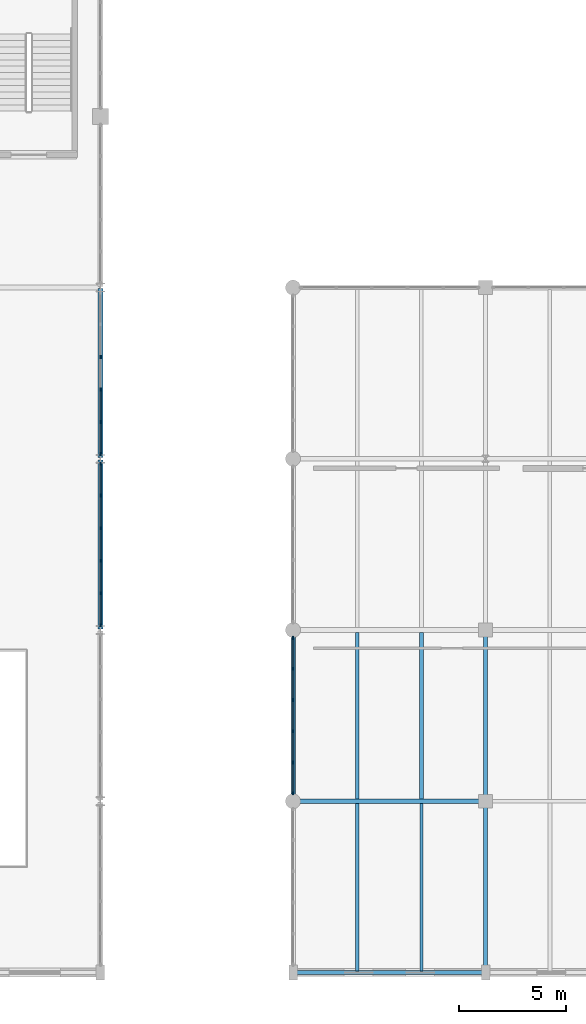
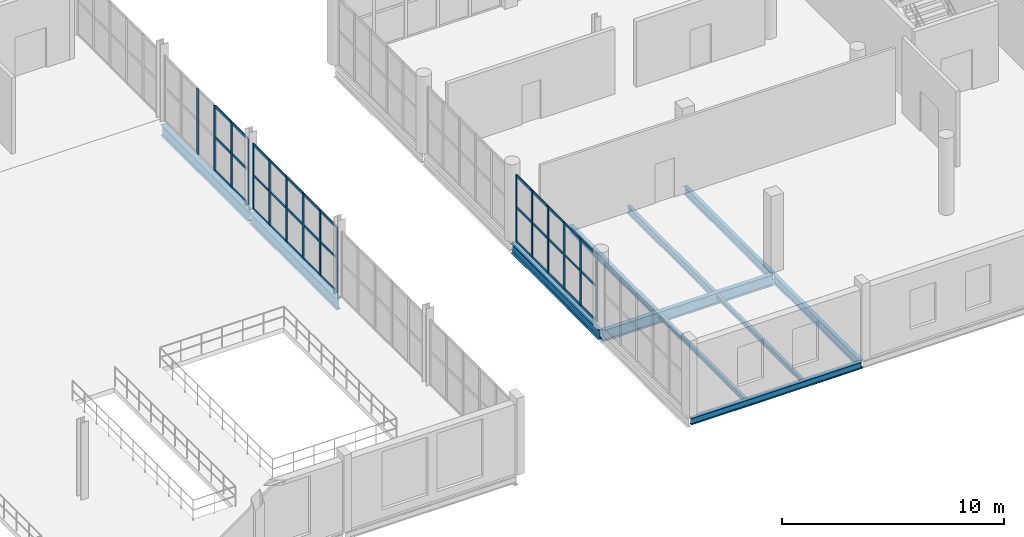
# One storey, part 29 of 85: 52 members, 11 beams, 3 elements without a shape of their own.
"""IFC4 building model written with IfcOpenShell, lengths in metres."""

from ifc_helpers import new_model, si_unit, direction, frame, origin, origin_2d, place, context, subcontext, project, spatial, rectangle, i_section, extrude, material, layer, layer_set, material_profile, profile_set, type_object, element, aggregate, save


model = new_model("IFC4")

# Units and contexts
model_context = context("Model", 3, precision=1e-05, world=origin(), true_north=direction((0.0, 1.0)))
body_context = subcontext(model_context, "Body", "Model", "MODEL_VIEW")
ifc_project = project(units=[si_unit("LENGTHUNIT", "METRE"), si_unit("AREAUNIT", "SQUARE_METRE"), si_unit("VOLUMEUNIT", "CUBIC_METRE"), si_unit("PLANEANGLEUNIT", "RADIAN"), si_unit("MASSUNIT", "GRAM", prefix="KILO")], contexts=[model_context])

# Site, building, storey
site_placement = place(None, origin())
site = spatial("IfcSite", under=ifc_project, at=site_placement, CompositionType="ELEMENT")
building_placement = place(site_placement, origin())
building = spatial("IfcBuilding", under=site, at=building_placement, Name="Marnock Terrace Opera House", CompositionType="ELEMENT")
storey_placement = place(building_placement, frame((0.0, 0.0, 10.199951171875)))
storey = spatial("IfcBuildingStorey", under=building, at=storey_placement, Name="L02", CompositionType="ELEMENT", Elevation=10.199951171875)

# Beams
ifc_material_1 = material(Name="Steel Grade 350 (AS/NZS 3679.1)", Category="steel")
ifc_material_profile_1 = material_profile(ifc_material_1, i_section(OverallWidth=0.18994140625, OverallDepth=0.45751953125, WebThickness=0.009033203125, FlangeThickness=0.014404296875, FilletRadius=0.011474609375, at=origin_2d()))
ifc_profile_set_1 = profile_set([ifc_material_profile_1], Name="Steel Grade 350 (AS/NZS 3679.1)")
beam_type_1 = type_object("IfcBeamType", Name="BM-GIRD-460B", PredefinedType="BEAM", material=ifc_profile_set_1)
for number, where, z_axis, x_axis, name in (
    (1, (127.0, 8.050048828125, -0.48876953125), (0.0, 1.0, 0.0), (-1.0, 0.0, 0.0), "L02 girder (X=127.0, 8.0..16.0)"),
    (2, (127.0, 16.050048828125, -0.48876953125), (0.0, 1.0, 0.0), (-1.0, 0.0, 0.0), "L02 girder (X=127.0, 16.0..24.0)"),
):
    element("IfcBeam", number, at=place(storey_placement, frame(where, z_axis=z_axis, x_axis=x_axis)), inside=storey, type_object=beam_type_1, Name=name, PredefinedType="BEAM", context=body_context, shape_type="SweptSolid", body=[
        extrude(i_section(OverallWidth=0.18994140625, OverallDepth=0.45751953125, WebThickness=0.009033203125, FlangeThickness=0.014404296875, FilletRadius=0.011474609375, at=origin_2d()), origin(), (0.0, 0.0, 1.0), 7.89990234375),
    ])
ifc_material_profile_2 = material_profile(ifc_material_1, i_section(OverallWidth=0.208984375, OverallDepth=0.528076171875, WebThickness=0.009521484375, FlangeThickness=0.01318359375, FilletRadius=0.013916015625, at=origin_2d()))
ifc_profile_set_2 = profile_set([ifc_material_profile_2], Name="Steel Grade 350 (AS/NZS 3679.1)")
beam_type_2 = type_object("IfcBeamType", Name="BM-GIRD-530B", PredefinedType="BEAM", material=ifc_profile_set_2)
beam_1_placement = place(storey_placement, frame((118.0, 16.050048828125, -0.52392578125), z_axis=(0.0, 1.0, 0.0), x_axis=(-1.0, 0.0, 0.0)))
element("IfcBeam", 3, at=beam_1_placement, inside=storey, type_object=beam_type_2, Name="L02 girder (X=118.0, 16.0..24.0)", PredefinedType="BEAM", context=body_context, shape_type="SweptSolid", body=[
    extrude(i_section(OverallWidth=0.208984375, OverallDepth=0.528076171875, WebThickness=0.009521484375, FlangeThickness=0.01318359375, FilletRadius=0.013916015625, at=origin_2d()), origin(), (0.0, 0.0, 1.0), 7.89990234375),
])
ifc_material_profile_3 = material_profile(ifc_material_1, i_section(OverallWidth=0.22900390625, OverallDepth=0.611572265625, WebThickness=0.011962890625, FlangeThickness=0.01953125, FilletRadius=0.013916015625, at=origin_2d()))
ifc_profile_set_3 = profile_set([ifc_material_profile_3], Name="Steel Grade 350 (AS/NZS 3679.1)")
beam_type_3 = type_object("IfcBeamType", Name="BM-GIRD-610A", PredefinedType="BEAM", material=ifc_profile_set_3)
beam_2_placement = place(storey_placement, frame((118.050048828125, 16.0, -0.565673828125), z_axis=(1.0, 0.0, 0.0), x_axis=(0.0, 1.0, 0.0)))
element("IfcBeam", 4, at=beam_2_placement, inside=storey, type_object=beam_type_3, Name="L02 girder (118.0..127.0, Y=16.0)", PredefinedType="BEAM", context=body_context, shape_type="SweptSolid", body=[
    extrude(i_section(OverallWidth=0.22900390625, OverallDepth=0.611572265625, WebThickness=0.011962890625, FlangeThickness=0.01953125, FilletRadius=0.013916015625, at=origin_2d()), origin(), (0.0, 0.0, 1.0), 8.89990234375),
])
ifc_material_profile_4 = material_profile(ifc_material_1, i_section(OverallWidth=0.22802734375, OverallDepth=0.60205078125, WebThickness=0.010498046875, FlangeThickness=0.014892578125, FilletRadius=0.013916015625, at=origin_2d()))
ifc_profile_set_4 = profile_set([ifc_material_profile_4], Name="Steel Grade 350 (AS/NZS 3679.1)")
beam_type_4 = type_object("IfcBeamType", Name="BM-GIRD-610C", PredefinedType="BEAM", material=ifc_profile_set_4)
for number, where, z_axis, x_axis, name in (
    (5, (109.0, 24.050048828125, -0.56103515625), (0.0, 1.0, 0.0), (-1.0, 0.0, 0.0), "L02 girder (X=109.0, 24.0..32.0)"),
    (6, (109.0, 32.050048828125, -0.56103515625), (0.0, 1.0, 0.0), (-1.0, 0.0, 0.0), "L02 girder (X=109.0, 32.0..40.0)"),
):
    element("IfcBeam", number, at=place(storey_placement, frame(where, z_axis=z_axis, x_axis=x_axis)), inside=storey, type_object=beam_type_4, Name=name, PredefinedType="BEAM", context=body_context, shape_type="SweptSolid", body=[
        extrude(i_section(OverallWidth=0.22802734375, OverallDepth=0.60205078125, WebThickness=0.010498046875, FlangeThickness=0.014892578125, FilletRadius=0.013916015625, at=origin_2d()), origin(), (0.0, 0.0, 1.0), 7.89990234375),
    ])
ifc_material_profile_5 = material_profile(ifc_material_1, i_section(OverallWidth=0.14599609375, OverallDepth=0.256103515625, WebThickness=0.00634765625, FlangeThickness=0.010986328125, FilletRadius=0.0087890625, at=origin_2d()))
ifc_profile_set_5 = profile_set([ifc_material_profile_5], Name="Steel Grade 350 (AS/NZS 3679.1)")
beam_type_5 = type_object("IfcBeamType", Name="BM-JOIST-250", PredefinedType="JOIST", material=ifc_profile_set_5)
for number, where, z_axis, x_axis, name in (
    (7, (121.0, 8.0810546875, -0.387939453125), (0.0, 1.0, 0.0), (-1.0, 0.0, 0.0), "L02 secondary joist 13.1.1"),
    (8, (124.0, 8.0810546875, -0.387939453125), (0.0, 1.0, 0.0), (-1.0, 0.0, 0.0), "L02 secondary joist 13.1.2"),
):
    element("IfcBeam", number, at=place(storey_placement, frame(where, z_axis=z_axis, x_axis=x_axis)), inside=storey, type_object=beam_type_5, Name=name, PredefinedType="JOIST", context=body_context, shape_type="SweptSolid", body=[
        extrude(i_section(OverallWidth=0.14599609375, OverallDepth=0.256103515625, WebThickness=0.00634765625, FlangeThickness=0.010986328125, FilletRadius=0.0087890625, at=origin_2d()), origin(), (0.0, 0.0, 1.0), 7.809326171875),
    ])
ifc_material_profile_6 = material_profile(ifc_material_1, i_section(OverallWidth=0.177978515625, OverallDepth=0.406494140625, WebThickness=0.0078125, FlangeThickness=0.0126953125, FilletRadius=0.011474609375, at=origin_2d()))
ifc_profile_set_6 = profile_set([ifc_material_profile_6], Name="Steel Grade 350 (AS/NZS 3679.1)")
beam_type_6 = type_object("IfcBeamType", Name="BM-JOIST-410", PredefinedType="JOIST", material=ifc_profile_set_6)
for number, where, z_axis, x_axis, name in (
    (9, (121.0, 16.109619140625, -0.463134765625), (0.0, 1.0, 0.0), (-1.0, 0.0, 0.0), "L02 secondary joist 13.2.1"),
    (10, (124.0, 16.109619140625, -0.463134765625), (0.0, 1.0, 0.0), (-1.0, 0.0, 0.0), "L02 secondary joist 13.2.2"),
):
    element("IfcBeam", number, at=place(storey_placement, frame(where, z_axis=z_axis, x_axis=x_axis)), inside=storey, type_object=beam_type_6, Name=name, PredefinedType="JOIST", context=body_context, shape_type="SweptSolid", body=[
        extrude(i_section(OverallWidth=0.177978515625, OverallDepth=0.406494140625, WebThickness=0.0078125, FlangeThickness=0.0126953125, FilletRadius=0.011474609375, at=origin_2d()), origin(), (0.0, 0.0, 1.0), 7.781494140625),
    ])
ifc_material_profile_7 = material_profile(ifc_material_1, i_section(OverallWidth=0.172119140625, OverallDepth=0.358642578125, WebThickness=0.008056640625, FlangeThickness=0.012939453125, FilletRadius=0.011474609375, at=origin_2d()))
ifc_profile_set_7 = profile_set([ifc_material_profile_7], Name="Steel Grade 350 (AS/NZS 3679.1)")
beam_type_7 = type_object("IfcBeamType", Name="BM-SPAN-360", PredefinedType="SPANDREL", material=ifc_profile_set_7)
beam_3_placement = place(storey_placement, frame((118.050048828125, 8.0, -0.439208984375), z_axis=(1.0, 0.0, 0.0), x_axis=(0.0, 1.0, 0.0)))
element("IfcBeam", 11, at=beam_3_placement, inside=storey, type_object=beam_type_7, Name="L02 girder (118.0..127.0, Y=8.0)", PredefinedType="SPANDREL", context=body_context, shape_type="SweptSolid", body=[
    extrude(i_section(OverallWidth=0.172119140625, OverallDepth=0.358642578125, WebThickness=0.008056640625, FlangeThickness=0.012939453125, FilletRadius=0.011474609375, at=origin_2d()), origin(), (0.0, 0.0, 1.0), 8.89990234375),
])

# Curtain wall, members
ifc_material_2 = material(Name="Anodised architectural bronze aluminium framing", Category="aluminium")
ifc_layer_1 = layer(ifc_material_2, 0.159912109375)
ifc_layer_set_1 = layer_set([ifc_layer_1], Name="Anodised architectural bronze aluminium framing")
curtain_wall_type_1 = type_object("IfcCurtainWallType", Name="CW-FOYER-80x42", PredefinedType="NOTDEFINED", material=ifc_layer_set_1)
curtain_wall_1_placement = place(storey_placement, origin())
curtain_wall_1 = element("IfcCurtainWall", 12, at=curtain_wall_1_placement, inside=storey, type_object=curtain_wall_type_1, Name="L02 glazed Beaux-Arts colonnade curtain wall CW-V1E-L02-03", PredefinedType="NOTDEFINED")
ifc_material_profile_8 = material_profile(ifc_material_2, rectangle(XDim=0.06005859375, YDim=0.14990234375, at=origin_2d()))
ifc_profile_set_8 = profile_set([ifc_material_profile_8], Name="Anodised architectural bronze aluminium framing")
member_type_1 = type_object("IfcMemberType", Name="CWM-60x150", PredefinedType="MULLION", material=ifc_profile_set_8)
member_1_placement = place(storey_placement, frame((109.0, 24.22607421875, 0.0), z_axis=(0.0, 0.0, 1.0), x_axis=(-1.0, 0.0, 0.0)))
member_1 = element("IfcMember", 13, at=member_1_placement, type_object=member_type_1, Name="CW-62 mullion 1", PredefinedType="MULLION", context=body_context, shape_type="SweptSolid", body=[
    extrude(rectangle(XDim=0.06005859375, YDim=0.14990234375, at=origin_2d()), origin(), (0.0, 0.0, 1.0), 3.608154296875),
])
member_2_placement = place(storey_placement, frame((109.0, 25.717529296875, 0.0), z_axis=(0.0, 0.0, 1.0), x_axis=(-1.0, 0.0, 0.0)))
member_2 = element("IfcMember", 14, at=member_2_placement, type_object=member_type_1, Name="CW-62 mullion 2", PredefinedType="MULLION", context=body_context, shape_type="SweptSolid", body=[
    extrude(rectangle(XDim=0.06005859375, YDim=0.14990234375, at=origin_2d()), origin(), (0.0, 0.0, 1.0), 3.608154296875),
])
member_3_placement = place(storey_placement, frame((109.0, 27.2392578125, 0.0), z_axis=(0.0, 0.0, 1.0), x_axis=(-1.0, 0.0, 0.0)))
member_3 = element("IfcMember", 15, at=member_3_placement, type_object=member_type_1, Name="CW-62 mullion 3", PredefinedType="MULLION", context=body_context, shape_type="SweptSolid", body=[
    extrude(rectangle(XDim=0.06005859375, YDim=0.14990234375, at=origin_2d()), origin(), (0.0, 0.0, 1.0), 3.608154296875),
])
member_4_placement = place(storey_placement, frame((109.0, 28.7607421875, 0.0), z_axis=(0.0, 0.0, 1.0), x_axis=(-1.0, 0.0, 0.0)))
member_4 = element("IfcMember", 16, at=member_4_placement, type_object=member_type_1, Name="CW-62 mullion 4", PredefinedType="MULLION", context=body_context, shape_type="SweptSolid", body=[
    extrude(rectangle(XDim=0.06005859375, YDim=0.14990234375, at=origin_2d()), origin(), (0.0, 0.0, 1.0), 3.608154296875),
])
member_5_placement = place(storey_placement, frame((109.0, 30.282470703125, 0.0), z_axis=(0.0, 0.0, 1.0), x_axis=(-1.0, 0.0, 0.0)))
member_5 = element("IfcMember", 17, at=member_5_placement, type_object=member_type_1, Name="CW-62 mullion 5", PredefinedType="MULLION", context=body_context, shape_type="SweptSolid", body=[
    extrude(rectangle(XDim=0.06005859375, YDim=0.14990234375, at=origin_2d()), origin(), (0.0, 0.0, 1.0), 3.608154296875),
])
member_6_placement = place(storey_placement, frame((109.0, 31.77392578125, 0.0), z_axis=(0.0, 0.0, 1.0), x_axis=(-1.0, 0.0, 0.0)))
member_6 = element("IfcMember", 18, at=member_6_placement, type_object=member_type_1, Name="CW-62 mullion 6", PredefinedType="MULLION", context=body_context, shape_type="SweptSolid", body=[
    extrude(rectangle(XDim=0.06005859375, YDim=0.14990234375, at=origin_2d()), origin(), (0.0, 0.0, 1.0), 3.608154296875),
])

curtain_wall_2_placement = place(storey_placement, origin())
curtain_wall_2 = element("IfcCurtainWall", 19, at=curtain_wall_2_placement, inside=storey, type_object=curtain_wall_type_1, Name="L02 glazed Beaux-Arts colonnade curtain wall CW-V1E-L02-04", PredefinedType="NOTDEFINED")
member_7_placement = place(storey_placement, frame((109.0, 32.22607421875, 0.0), z_axis=(0.0, 0.0, 1.0), x_axis=(-1.0, 0.0, 0.0)))
member_7 = element("IfcMember", 20, at=member_7_placement, type_object=member_type_1, Name="CW-62 mullion 1", PredefinedType="MULLION", context=body_context, shape_type="SweptSolid", body=[
    extrude(rectangle(XDim=0.06005859375, YDim=0.14990234375, at=origin_2d()), origin(), (0.0, 0.0, 1.0), 3.608154296875),
])
member_8_placement = place(storey_placement, frame((109.0, 33.717529296875, 0.0), z_axis=(0.0, 0.0, 1.0), x_axis=(-1.0, 0.0, 0.0)))
member_8 = element("IfcMember", 21, at=member_8_placement, type_object=member_type_1, Name="CW-62 mullion 2", PredefinedType="MULLION", context=body_context, shape_type="SweptSolid", body=[
    extrude(rectangle(XDim=0.06005859375, YDim=0.14990234375, at=origin_2d()), origin(), (0.0, 0.0, 1.0), 3.608154296875),
])
member_9_placement = place(storey_placement, frame((109.0, 35.2392578125, 0.0), z_axis=(0.0, 0.0, 1.0), x_axis=(-1.0, 0.0, 0.0)))
member_9 = element("IfcMember", 22, at=member_9_placement, type_object=member_type_1, Name="CW-62 mullion 3", PredefinedType="MULLION", context=body_context, shape_type="SweptSolid", body=[
    extrude(rectangle(XDim=0.06005859375, YDim=0.14990234375, at=origin_2d()), origin(), (0.0, 0.0, 1.0), 3.608154296875),
])
member_10_placement = place(storey_placement, frame((109.0, 36.7607421875, 0.0), z_axis=(0.0, 0.0, 1.0), x_axis=(-1.0, 0.0, 0.0)))
member_10 = element("IfcMember", 23, at=member_10_placement, type_object=member_type_1, Name="CW-62 mullion 4", PredefinedType="MULLION", context=body_context, shape_type="SweptSolid", body=[
    extrude(rectangle(XDim=0.06005859375, YDim=0.14990234375, at=origin_2d()), origin(), (0.0, 0.0, 1.0), 3.608154296875),
])

ifc_layer_2 = layer(ifc_material_2, 0.159912109375)
ifc_layer_set_2 = layer_set([ifc_layer_2], Name="Anodised architectural bronze aluminium framing")
curtain_wall_type_2 = type_object("IfcCurtainWallType", Name="CW-LOGGIA-86x42", PredefinedType="NOTDEFINED", material=ifc_layer_set_2)
curtain_wall_3_placement = place(storey_placement, origin())
curtain_wall_3 = element("IfcCurtainWall", 24, at=curtain_wall_3_placement, inside=storey, type_object=curtain_wall_type_2, Name="L02 glazed Beaux-Arts colonnade curtain wall CW-V5-L02-W2", PredefinedType="NOTDEFINED")
member_11_placement = place(storey_placement, frame((118.0, 16.3759765625, 0.0), z_axis=(0.0, 0.0, 1.0), x_axis=(-1.0, 0.0, 0.0)))
member_11 = element("IfcMember", 25, at=member_11_placement, type_object=member_type_1, Name="CW-66 mullion 1", PredefinedType="MULLION", context=body_context, shape_type="SweptSolid", body=[
    extrude(rectangle(XDim=0.06005859375, YDim=0.14990234375, at=origin_2d()), origin(), (0.0, 0.0, 1.0), 3.68212890625),
])
member_12_placement = place(storey_placement, frame((118.0, 17.8076171875, 0.0), z_axis=(0.0, 0.0, 1.0), x_axis=(-1.0, 0.0, 0.0)))
member_12 = element("IfcMember", 26, at=member_12_placement, type_object=member_type_1, Name="CW-66 mullion 2", PredefinedType="MULLION", context=body_context, shape_type="SweptSolid", body=[
    extrude(rectangle(XDim=0.06005859375, YDim=0.14990234375, at=origin_2d()), origin(), (0.0, 0.0, 1.0), 3.68212890625),
])
member_13_placement = place(storey_placement, frame((118.0, 19.269287109375, 0.0), z_axis=(0.0, 0.0, 1.0), x_axis=(-1.0, 0.0, 0.0)))
member_13 = element("IfcMember", 27, at=member_13_placement, type_object=member_type_1, Name="CW-66 mullion 3", PredefinedType="MULLION", context=body_context, shape_type="SweptSolid", body=[
    extrude(rectangle(XDim=0.06005859375, YDim=0.14990234375, at=origin_2d()), origin(), (0.0, 0.0, 1.0), 3.68212890625),
])
member_14_placement = place(storey_placement, frame((118.0, 20.730712890625, 0.0), z_axis=(0.0, 0.0, 1.0), x_axis=(-1.0, 0.0, 0.0)))
member_14 = element("IfcMember", 28, at=member_14_placement, type_object=member_type_1, Name="CW-66 mullion 4", PredefinedType="MULLION", context=body_context, shape_type="SweptSolid", body=[
    extrude(rectangle(XDim=0.06005859375, YDim=0.14990234375, at=origin_2d()), origin(), (0.0, 0.0, 1.0), 3.68212890625),
])
member_15_placement = place(storey_placement, frame((118.0, 22.1923828125, 0.0), z_axis=(0.0, 0.0, 1.0), x_axis=(-1.0, 0.0, 0.0)))
member_15 = element("IfcMember", 29, at=member_15_placement, type_object=member_type_1, Name="CW-66 mullion 5", PredefinedType="MULLION", context=body_context, shape_type="SweptSolid", body=[
    extrude(rectangle(XDim=0.06005859375, YDim=0.14990234375, at=origin_2d()), origin(), (0.0, 0.0, 1.0), 3.68212890625),
])
member_16_placement = place(storey_placement, frame((118.0, 23.6240234375, 0.0), z_axis=(0.0, 0.0, 1.0), x_axis=(-1.0, 0.0, 0.0)))
member_16 = element("IfcMember", 30, at=member_16_placement, type_object=member_type_1, Name="CW-66 mullion 6", PredefinedType="MULLION", context=body_context, shape_type="SweptSolid", body=[
    extrude(rectangle(XDim=0.06005859375, YDim=0.14990234375, at=origin_2d()), origin(), (0.0, 0.0, 1.0), 3.68212890625),
])

# Member
ifc_material_profile_9 = material_profile(ifc_material_2, rectangle(XDim=0.06005859375, YDim=0.1298828125, at=origin_2d()))
ifc_profile_set_9 = profile_set([ifc_material_profile_9], Name="Anodised architectural bronze aluminium framing")
member_type_2 = type_object("IfcMemberType", Name="CWT-60x130", PredefinedType="USERDEFINED", material=ifc_profile_set_9)
member_17_placement = place(storey_placement, frame((109.0, 24.256103515625, 0.030029296875), z_axis=(0.0, 1.0, 0.0), x_axis=(-1.0, 0.0, 0.0)))
member_17 = element("IfcMember", 31, at=member_17_placement, type_object=member_type_2, Name="CW-62 transom 1.1", ObjectType="TRANSOM", PredefinedType="USERDEFINED", context=body_context, shape_type="SweptSolid", body=[
    extrude(rectangle(XDim=0.06005859375, YDim=0.1298828125, at=origin_2d()), origin(), (0.0, 0.0, 1.0), 1.431396484375),
])

member_18_placement = place(storey_placement, frame((109.0, 24.256103515625, 1.876220703125), z_axis=(0.0, 1.0, 0.0), x_axis=(-1.0, 0.0, 0.0)))
member_18 = element("IfcMember", 32, at=member_18_placement, type_object=member_type_2, Name="CW-62 transom 1.2", ObjectType="TRANSOM", PredefinedType="USERDEFINED", context=body_context, shape_type="SweptSolid", body=[
    extrude(rectangle(XDim=0.06005859375, YDim=0.1298828125, at=origin_2d()), origin(), (0.0, 0.0, 1.0), 1.431396484375),
])

member_19_placement = place(storey_placement, frame((109.0, 24.256103515625, 3.578125), z_axis=(0.0, 1.0, 0.0), x_axis=(-1.0, 0.0, 0.0)))
member_19 = element("IfcMember", 33, at=member_19_placement, type_object=member_type_2, Name="CW-62 transom 1.3", ObjectType="TRANSOM", PredefinedType="USERDEFINED", context=body_context, shape_type="SweptSolid", body=[
    extrude(rectangle(XDim=0.06005859375, YDim=0.1298828125, at=origin_2d()), origin(), (0.0, 0.0, 1.0), 1.431396484375),
])

member_20_placement = place(storey_placement, frame((109.0, 25.74755859375, 0.030029296875), z_axis=(0.0, 1.0, 0.0), x_axis=(-1.0, 0.0, 0.0)))
member_20 = element("IfcMember", 34, at=member_20_placement, type_object=member_type_2, Name="CW-62 transom 2.1", ObjectType="TRANSOM", PredefinedType="USERDEFINED", context=body_context, shape_type="SweptSolid", body=[
    extrude(rectangle(XDim=0.06005859375, YDim=0.1298828125, at=origin_2d()), origin(), (0.0, 0.0, 1.0), 1.461669921875),
])

member_21_placement = place(storey_placement, frame((109.0, 25.74755859375, 1.876220703125), z_axis=(0.0, 1.0, 0.0), x_axis=(-1.0, 0.0, 0.0)))
member_21 = element("IfcMember", 35, at=member_21_placement, type_object=member_type_2, Name="CW-62 transom 2.2", ObjectType="TRANSOM", PredefinedType="USERDEFINED", context=body_context, shape_type="SweptSolid", body=[
    extrude(rectangle(XDim=0.06005859375, YDim=0.1298828125, at=origin_2d()), origin(), (0.0, 0.0, 1.0), 1.461669921875),
])

member_22_placement = place(storey_placement, frame((109.0, 25.74755859375, 3.578125), z_axis=(0.0, 1.0, 0.0), x_axis=(-1.0, 0.0, 0.0)))
member_22 = element("IfcMember", 36, at=member_22_placement, type_object=member_type_2, Name="CW-62 transom 2.3", ObjectType="TRANSOM", PredefinedType="USERDEFINED", context=body_context, shape_type="SweptSolid", body=[
    extrude(rectangle(XDim=0.06005859375, YDim=0.1298828125, at=origin_2d()), origin(), (0.0, 0.0, 1.0), 1.461669921875),
])

member_23_placement = place(storey_placement, frame((109.0, 27.269287109375, 0.030029296875), z_axis=(0.0, 1.0, 0.0), x_axis=(-1.0, 0.0, 0.0)))
member_23 = element("IfcMember", 37, at=member_23_placement, type_object=member_type_2, Name="CW-62 transom 3.1", ObjectType="TRANSOM", PredefinedType="USERDEFINED", context=body_context, shape_type="SweptSolid", body=[
    extrude(rectangle(XDim=0.06005859375, YDim=0.1298828125, at=origin_2d()), origin(), (0.0, 0.0, 1.0), 1.46142578125),
])

member_24_placement = place(storey_placement, frame((109.0, 27.269287109375, 1.876220703125), z_axis=(0.0, 1.0, 0.0), x_axis=(-1.0, 0.0, 0.0)))
member_24 = element("IfcMember", 38, at=member_24_placement, type_object=member_type_2, Name="CW-62 transom 3.2", ObjectType="TRANSOM", PredefinedType="USERDEFINED", context=body_context, shape_type="SweptSolid", body=[
    extrude(rectangle(XDim=0.06005859375, YDim=0.1298828125, at=origin_2d()), origin(), (0.0, 0.0, 1.0), 1.46142578125),
])

member_25_placement = place(storey_placement, frame((109.0, 27.269287109375, 3.578125), z_axis=(0.0, 1.0, 0.0), x_axis=(-1.0, 0.0, 0.0)))
member_25 = element("IfcMember", 39, at=member_25_placement, type_object=member_type_2, Name="CW-62 transom 3.3", ObjectType="TRANSOM", PredefinedType="USERDEFINED", context=body_context, shape_type="SweptSolid", body=[
    extrude(rectangle(XDim=0.06005859375, YDim=0.1298828125, at=origin_2d()), origin(), (0.0, 0.0, 1.0), 1.46142578125),
])

member_26_placement = place(storey_placement, frame((109.0, 28.790771484375, 0.030029296875), z_axis=(0.0, 1.0, 0.0), x_axis=(-1.0, 0.0, 0.0)))
member_26 = element("IfcMember", 40, at=member_26_placement, type_object=member_type_2, Name="CW-62 transom 4.1", ObjectType="TRANSOM", PredefinedType="USERDEFINED", context=body_context, shape_type="SweptSolid", body=[
    extrude(rectangle(XDim=0.06005859375, YDim=0.1298828125, at=origin_2d()), origin(), (0.0, 0.0, 1.0), 1.461669921875),
])

member_27_placement = place(storey_placement, frame((109.0, 28.790771484375, 1.876220703125), z_axis=(0.0, 1.0, 0.0), x_axis=(-1.0, 0.0, 0.0)))
member_27 = element("IfcMember", 41, at=member_27_placement, type_object=member_type_2, Name="CW-62 transom 4.2", ObjectType="TRANSOM", PredefinedType="USERDEFINED", context=body_context, shape_type="SweptSolid", body=[
    extrude(rectangle(XDim=0.06005859375, YDim=0.1298828125, at=origin_2d()), origin(), (0.0, 0.0, 1.0), 1.461669921875),
])

member_28_placement = place(storey_placement, frame((109.0, 28.790771484375, 3.578125), z_axis=(0.0, 1.0, 0.0), x_axis=(-1.0, 0.0, 0.0)))
member_28 = element("IfcMember", 42, at=member_28_placement, type_object=member_type_2, Name="CW-62 transom 4.3", ObjectType="TRANSOM", PredefinedType="USERDEFINED", context=body_context, shape_type="SweptSolid", body=[
    extrude(rectangle(XDim=0.06005859375, YDim=0.1298828125, at=origin_2d()), origin(), (0.0, 0.0, 1.0), 1.461669921875),
])

member_29_placement = place(storey_placement, frame((109.0, 30.3125, 0.030029296875), z_axis=(0.0, 1.0, 0.0), x_axis=(-1.0, 0.0, 0.0)))
member_29 = element("IfcMember", 43, at=member_29_placement, type_object=member_type_2, Name="CW-62 transom 5.1", ObjectType="TRANSOM", PredefinedType="USERDEFINED", context=body_context, shape_type="SweptSolid", body=[
    extrude(rectangle(XDim=0.06005859375, YDim=0.1298828125, at=origin_2d()), origin(), (0.0, 0.0, 1.0), 1.431396484375),
])

member_30_placement = place(storey_placement, frame((109.0, 30.3125, 1.876220703125), z_axis=(0.0, 1.0, 0.0), x_axis=(-1.0, 0.0, 0.0)))
member_30 = element("IfcMember", 44, at=member_30_placement, type_object=member_type_2, Name="CW-62 transom 5.2", ObjectType="TRANSOM", PredefinedType="USERDEFINED", context=body_context, shape_type="SweptSolid", body=[
    extrude(rectangle(XDim=0.06005859375, YDim=0.1298828125, at=origin_2d()), origin(), (0.0, 0.0, 1.0), 1.431396484375),
])

member_31_placement = place(storey_placement, frame((109.0, 30.3125, 3.578125), z_axis=(0.0, 1.0, 0.0), x_axis=(-1.0, 0.0, 0.0)))
member_31 = element("IfcMember", 45, at=member_31_placement, type_object=member_type_2, Name="CW-62 transom 5.3", ObjectType="TRANSOM", PredefinedType="USERDEFINED", context=body_context, shape_type="SweptSolid", body=[
    extrude(rectangle(XDim=0.06005859375, YDim=0.1298828125, at=origin_2d()), origin(), (0.0, 0.0, 1.0), 1.431396484375),
])

aggregate(curtain_wall_1, [member_1, member_2, member_3, member_4, member_5, member_6, member_17, member_18, member_19, member_20, member_21, member_22, member_23, member_24, member_25, member_26, member_27, member_28, member_29, member_30, member_31])

member_32_placement = place(storey_placement, frame((109.0, 32.256103515625, 0.030029296875), z_axis=(0.0, 1.0, 0.0), x_axis=(-1.0, 0.0, 0.0)))
member_32 = element("IfcMember", 46, at=member_32_placement, type_object=member_type_2, Name="CW-62 transom 1.1", ObjectType="TRANSOM", PredefinedType="USERDEFINED", context=body_context, shape_type="SweptSolid", body=[
    extrude(rectangle(XDim=0.06005859375, YDim=0.1298828125, at=origin_2d()), origin(), (0.0, 0.0, 1.0), 1.431396484375),
])

member_33_placement = place(storey_placement, frame((109.0, 32.256103515625, 1.876220703125), z_axis=(0.0, 1.0, 0.0), x_axis=(-1.0, 0.0, 0.0)))
member_33 = element("IfcMember", 47, at=member_33_placement, type_object=member_type_2, Name="CW-62 transom 1.2", ObjectType="TRANSOM", PredefinedType="USERDEFINED", context=body_context, shape_type="SweptSolid", body=[
    extrude(rectangle(XDim=0.06005859375, YDim=0.1298828125, at=origin_2d()), origin(), (0.0, 0.0, 1.0), 1.431396484375),
])

member_34_placement = place(storey_placement, frame((109.0, 32.256103515625, 3.578125), z_axis=(0.0, 1.0, 0.0), x_axis=(-1.0, 0.0, 0.0)))
member_34 = element("IfcMember", 48, at=member_34_placement, type_object=member_type_2, Name="CW-62 transom 1.3", ObjectType="TRANSOM", PredefinedType="USERDEFINED", context=body_context, shape_type="SweptSolid", body=[
    extrude(rectangle(XDim=0.06005859375, YDim=0.1298828125, at=origin_2d()), origin(), (0.0, 0.0, 1.0), 1.431396484375),
])

member_35_placement = place(storey_placement, frame((109.0, 33.74755859375, 0.030029296875), z_axis=(0.0, 1.0, 0.0), x_axis=(-1.0, 0.0, 0.0)))
member_35 = element("IfcMember", 49, at=member_35_placement, type_object=member_type_2, Name="CW-62 transom 2.1", ObjectType="TRANSOM", PredefinedType="USERDEFINED", context=body_context, shape_type="SweptSolid", body=[
    extrude(rectangle(XDim=0.06005859375, YDim=0.1298828125, at=origin_2d()), origin(), (0.0, 0.0, 1.0), 1.461669921875),
])

member_36_placement = place(storey_placement, frame((109.0, 33.74755859375, 1.876220703125), z_axis=(0.0, 1.0, 0.0), x_axis=(-1.0, 0.0, 0.0)))
member_36 = element("IfcMember", 50, at=member_36_placement, type_object=member_type_2, Name="CW-62 transom 2.2", ObjectType="TRANSOM", PredefinedType="USERDEFINED", context=body_context, shape_type="SweptSolid", body=[
    extrude(rectangle(XDim=0.06005859375, YDim=0.1298828125, at=origin_2d()), origin(), (0.0, 0.0, 1.0), 1.461669921875),
])

member_37_placement = place(storey_placement, frame((109.0, 33.74755859375, 3.578125), z_axis=(0.0, 1.0, 0.0), x_axis=(-1.0, 0.0, 0.0)))
member_37 = element("IfcMember", 51, at=member_37_placement, type_object=member_type_2, Name="CW-62 transom 2.3", ObjectType="TRANSOM", PredefinedType="USERDEFINED", context=body_context, shape_type="SweptSolid", body=[
    extrude(rectangle(XDim=0.06005859375, YDim=0.1298828125, at=origin_2d()), origin(), (0.0, 0.0, 1.0), 1.461669921875),
])

aggregate(curtain_wall_2, [member_7, member_8, member_9, member_10, member_32, member_33, member_34, member_35, member_36, member_37])

member_38_placement = place(storey_placement, frame((118.0, 16.406005859375, 0.030029296875), z_axis=(0.0, 1.0, 0.0), x_axis=(-1.0, 0.0, 0.0)))
member_38 = element("IfcMember", 52, at=member_38_placement, type_object=member_type_2, Name="CW-66 transom 1.1", ObjectType="TRANSOM", PredefinedType="USERDEFINED", context=body_context, shape_type="SweptSolid", body=[
    extrude(rectangle(XDim=0.06005859375, YDim=0.1298828125, at=origin_2d()), origin(), (0.0, 0.0, 1.0), 1.37158203125),
])

member_39_placement = place(storey_placement, frame((118.0, 16.406005859375, 1.91455078125), z_axis=(0.0, 1.0, 0.0), x_axis=(-1.0, 0.0, 0.0)))
member_39 = element("IfcMember", 53, at=member_39_placement, type_object=member_type_2, Name="CW-66 transom 1.2", ObjectType="TRANSOM", PredefinedType="USERDEFINED", context=body_context, shape_type="SweptSolid", body=[
    extrude(rectangle(XDim=0.06005859375, YDim=0.1298828125, at=origin_2d()), origin(), (0.0, 0.0, 1.0), 1.37158203125),
])

member_40_placement = place(storey_placement, frame((118.0, 16.406005859375, 3.652099609375), z_axis=(0.0, 1.0, 0.0), x_axis=(-1.0, 0.0, 0.0)))
member_40 = element("IfcMember", 54, at=member_40_placement, type_object=member_type_2, Name="CW-66 transom 1.3", ObjectType="TRANSOM", PredefinedType="USERDEFINED", context=body_context, shape_type="SweptSolid", body=[
    extrude(rectangle(XDim=0.06005859375, YDim=0.1298828125, at=origin_2d()), origin(), (0.0, 0.0, 1.0), 1.37158203125),
])

member_41_placement = place(storey_placement, frame((118.0, 17.837646484375, 0.030029296875), z_axis=(0.0, 1.0, 0.0), x_axis=(-1.0, 0.0, 0.0)))
member_41 = element("IfcMember", 55, at=member_41_placement, type_object=member_type_2, Name="CW-66 transom 2.1", ObjectType="TRANSOM", PredefinedType="USERDEFINED", context=body_context, shape_type="SweptSolid", body=[
    extrude(rectangle(XDim=0.06005859375, YDim=0.1298828125, at=origin_2d()), origin(), (0.0, 0.0, 1.0), 1.401611328125),
])

member_42_placement = place(storey_placement, frame((118.0, 17.837646484375, 1.91455078125), z_axis=(0.0, 1.0, 0.0), x_axis=(-1.0, 0.0, 0.0)))
member_42 = element("IfcMember", 56, at=member_42_placement, type_object=member_type_2, Name="CW-66 transom 2.2", ObjectType="TRANSOM", PredefinedType="USERDEFINED", context=body_context, shape_type="SweptSolid", body=[
    extrude(rectangle(XDim=0.06005859375, YDim=0.1298828125, at=origin_2d()), origin(), (0.0, 0.0, 1.0), 1.401611328125),
])

member_43_placement = place(storey_placement, frame((118.0, 17.837646484375, 3.652099609375), z_axis=(0.0, 1.0, 0.0), x_axis=(-1.0, 0.0, 0.0)))
member_43 = element("IfcMember", 57, at=member_43_placement, type_object=member_type_2, Name="CW-66 transom 2.3", ObjectType="TRANSOM", PredefinedType="USERDEFINED", context=body_context, shape_type="SweptSolid", body=[
    extrude(rectangle(XDim=0.06005859375, YDim=0.1298828125, at=origin_2d()), origin(), (0.0, 0.0, 1.0), 1.401611328125),
])

member_44_placement = place(storey_placement, frame((118.0, 19.29931640625, 0.030029296875), z_axis=(0.0, 1.0, 0.0), x_axis=(-1.0, 0.0, 0.0)))
member_44 = element("IfcMember", 58, at=member_44_placement, type_object=member_type_2, Name="CW-66 transom 3.1", ObjectType="TRANSOM", PredefinedType="USERDEFINED", context=body_context, shape_type="SweptSolid", body=[
    extrude(rectangle(XDim=0.06005859375, YDim=0.1298828125, at=origin_2d()), origin(), (0.0, 0.0, 1.0), 1.4013671875),
])

member_45_placement = place(storey_placement, frame((118.0, 19.29931640625, 1.91455078125), z_axis=(0.0, 1.0, 0.0), x_axis=(-1.0, 0.0, 0.0)))
member_45 = element("IfcMember", 59, at=member_45_placement, type_object=member_type_2, Name="CW-66 transom 3.2", ObjectType="TRANSOM", PredefinedType="USERDEFINED", context=body_context, shape_type="SweptSolid", body=[
    extrude(rectangle(XDim=0.06005859375, YDim=0.1298828125, at=origin_2d()), origin(), (0.0, 0.0, 1.0), 1.4013671875),
])

member_46_placement = place(storey_placement, frame((118.0, 19.29931640625, 3.652099609375), z_axis=(0.0, 1.0, 0.0), x_axis=(-1.0, 0.0, 0.0)))
member_46 = element("IfcMember", 60, at=member_46_placement, type_object=member_type_2, Name="CW-66 transom 3.3", ObjectType="TRANSOM", PredefinedType="USERDEFINED", context=body_context, shape_type="SweptSolid", body=[
    extrude(rectangle(XDim=0.06005859375, YDim=0.1298828125, at=origin_2d()), origin(), (0.0, 0.0, 1.0), 1.4013671875),
])

member_47_placement = place(storey_placement, frame((118.0, 20.7607421875, 0.030029296875), z_axis=(0.0, 1.0, 0.0), x_axis=(-1.0, 0.0, 0.0)))
member_47 = element("IfcMember", 61, at=member_47_placement, type_object=member_type_2, Name="CW-66 transom 4.1", ObjectType="TRANSOM", PredefinedType="USERDEFINED", context=body_context, shape_type="SweptSolid", body=[
    extrude(rectangle(XDim=0.06005859375, YDim=0.1298828125, at=origin_2d()), origin(), (0.0, 0.0, 1.0), 1.401611328125),
])

member_48_placement = place(storey_placement, frame((118.0, 20.7607421875, 1.91455078125), z_axis=(0.0, 1.0, 0.0), x_axis=(-1.0, 0.0, 0.0)))
member_48 = element("IfcMember", 62, at=member_48_placement, type_object=member_type_2, Name="CW-66 transom 4.2", ObjectType="TRANSOM", PredefinedType="USERDEFINED", context=body_context, shape_type="SweptSolid", body=[
    extrude(rectangle(XDim=0.06005859375, YDim=0.1298828125, at=origin_2d()), origin(), (0.0, 0.0, 1.0), 1.401611328125),
])

member_49_placement = place(storey_placement, frame((118.0, 20.7607421875, 3.652099609375), z_axis=(0.0, 1.0, 0.0), x_axis=(-1.0, 0.0, 0.0)))
member_49 = element("IfcMember", 63, at=member_49_placement, type_object=member_type_2, Name="CW-66 transom 4.3", ObjectType="TRANSOM", PredefinedType="USERDEFINED", context=body_context, shape_type="SweptSolid", body=[
    extrude(rectangle(XDim=0.06005859375, YDim=0.1298828125, at=origin_2d()), origin(), (0.0, 0.0, 1.0), 1.401611328125),
])

member_50_placement = place(storey_placement, frame((118.0, 22.222412109375, 0.030029296875), z_axis=(0.0, 1.0, 0.0), x_axis=(-1.0, 0.0, 0.0)))
member_50 = element("IfcMember", 64, at=member_50_placement, type_object=member_type_2, Name="CW-66 transom 5.1", ObjectType="TRANSOM", PredefinedType="USERDEFINED", context=body_context, shape_type="SweptSolid", body=[
    extrude(rectangle(XDim=0.06005859375, YDim=0.1298828125, at=origin_2d()), origin(), (0.0, 0.0, 1.0), 1.37158203125),
])

member_51_placement = place(storey_placement, frame((118.0, 22.222412109375, 1.91455078125), z_axis=(0.0, 1.0, 0.0), x_axis=(-1.0, 0.0, 0.0)))
member_51 = element("IfcMember", 65, at=member_51_placement, type_object=member_type_2, Name="CW-66 transom 5.2", ObjectType="TRANSOM", PredefinedType="USERDEFINED", context=body_context, shape_type="SweptSolid", body=[
    extrude(rectangle(XDim=0.06005859375, YDim=0.1298828125, at=origin_2d()), origin(), (0.0, 0.0, 1.0), 1.37158203125),
])

member_52_placement = place(storey_placement, frame((118.0, 22.222412109375, 3.652099609375), z_axis=(0.0, 1.0, 0.0), x_axis=(-1.0, 0.0, 0.0)))
member_52 = element("IfcMember", 66, at=member_52_placement, type_object=member_type_2, Name="CW-66 transom 5.3", ObjectType="TRANSOM", PredefinedType="USERDEFINED", context=body_context, shape_type="SweptSolid", body=[
    extrude(rectangle(XDim=0.06005859375, YDim=0.1298828125, at=origin_2d()), origin(), (0.0, 0.0, 1.0), 1.37158203125),
])

aggregate(curtain_wall_3, [member_11, member_12, member_13, member_14, member_15, member_16, member_38, member_39, member_40, member_41, member_42, member_43, member_44, member_45, member_46, member_47, member_48, member_49, member_50, member_51, member_52])

save(model, "model.ifc")
